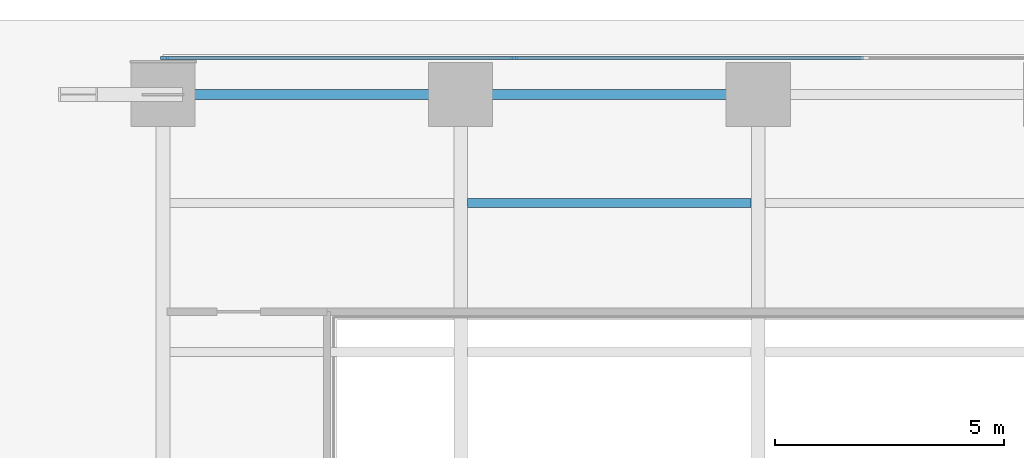
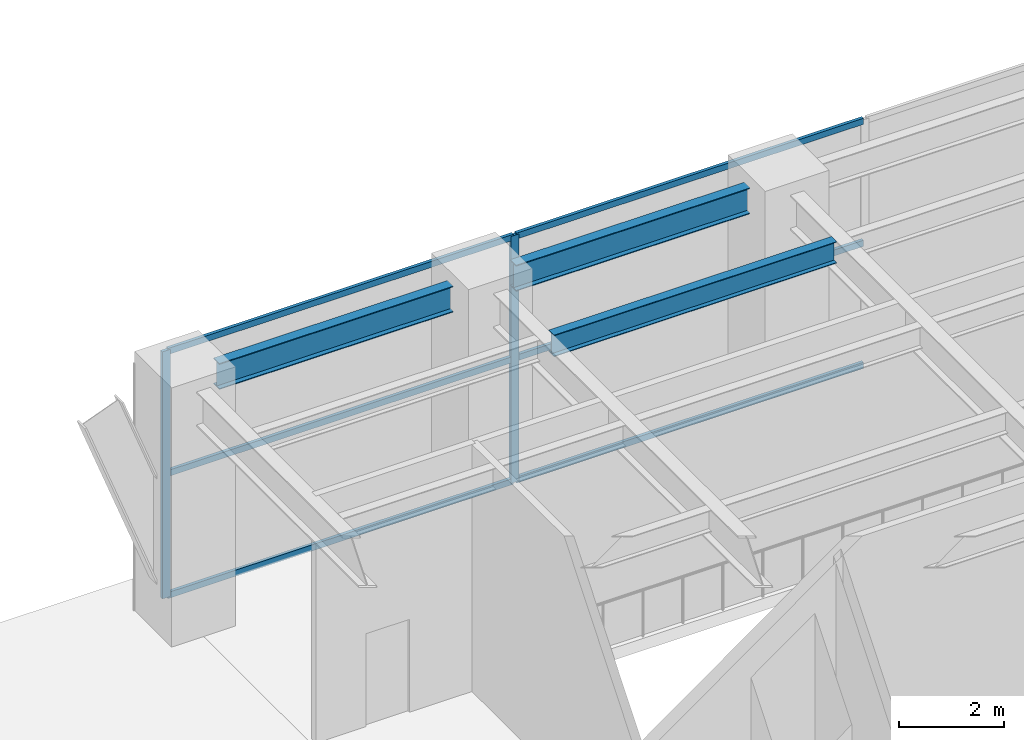
# One storey, part 6 of 20: 8 members, 3 beams, 1 element without a shape of its own.
"""IFC4 building model written with IfcOpenShell, lengths in metres."""

from ifc_helpers import new_model, si_unit, direction, frame, origin, origin_2d, place, context, subcontext, project, spatial, rectangle, i_section, extrude, material, layer, layer_set, material_profile, profile_set, type_object, element, aggregate, save


model = new_model("IFC4")

# Units and contexts
model_context = context("Model", 3, precision=1e-05, world=origin(), true_north=direction((0.0, 1.0)))
body_context = subcontext(model_context, "Body", "Model", "MODEL_VIEW")
ifc_project = project(units=[si_unit("LENGTHUNIT", "METRE"), si_unit("AREAUNIT", "SQUARE_METRE"), si_unit("VOLUMEUNIT", "CUBIC_METRE"), si_unit("PLANEANGLEUNIT", "RADIAN"), si_unit("MASSUNIT", "GRAM", prefix="KILO")], contexts=[model_context])

# Site, building, storey
site_placement = place(None, origin())
site = spatial("IfcSite", under=ifc_project, at=site_placement, CompositionType="ELEMENT")
building_placement = place(site_placement, origin())
building = spatial("IfcBuilding", under=site, at=building_placement, Name="Putna Gate Headquarters", CompositionType="ELEMENT")
storey_placement = place(building_placement, origin())
storey = spatial("IfcBuildingStorey", under=building, at=storey_placement, Name="L00", CompositionType="ELEMENT", Elevation=0.0)

# Beams
ifc_material_1 = material(Name="Steel S355J2", Category="steel")
ifc_material_profile_1 = material_profile(ifc_material_1, i_section(OverallWidth=0.199951171875, OverallDepth=0.5, WebThickness=0.01025390625, FlangeThickness=0.01611328125, at=origin_2d()), Name="Steel S355J2")
ifc_profile_set_1 = profile_set([ifc_material_profile_1], Name="Steel S355J2")
beam_type_1 = type_object("IfcBeamType", Name="BM-SEC-P-IPE500", PredefinedType="BEAM", material=ifc_profile_set_1)
beam_placement = place(storey_placement, frame((58.654052734375, 48.75, 5.469970703125), z_axis=(1.0, 0.0, 0.0), x_axis=(0.0, 1.0, 0.0)))
element("IfcBeam", 1, at=beam_placement, inside=storey, type_object=beam_type_1, Name="L00 North Secondary Beam 6", PredefinedType="BEAM", context=body_context, shape_type="SweptSolid", body=[
    extrude(i_section(OverallWidth=0.199951171875, OverallDepth=0.5, WebThickness=0.01025390625, FlangeThickness=0.01611328125, at=origin_2d()), origin(), (0.0, 0.0, 1.0), 6.19189453125),
])
ifc_material_profile_2 = material_profile(ifc_material_1, i_section(OverallWidth=0.219970703125, OverallDepth=0.60009765625, WebThickness=0.011962890625, FlangeThickness=0.01904296875, at=origin_2d()), Name="Steel S355J2")
ifc_profile_set_2 = profile_set([ifc_material_profile_2], Name="Steel S355J2")
beam_type_2 = type_object("IfcBeamType", Name="BM-SPAN-P-IPE600", PredefinedType="SPANDREL", material=ifc_profile_set_2)
for number, where, z_axis, x_axis, name in (
    (2, (52.68798828125, 51.1201171875, 5.419921875), (1.0, 0.0, 0.0), (0.0, 1.0, 0.0), "L00 N Perimeter Spandrel 5"),
    (3, (59.18798828125, 51.1201171875, 5.419921875), (1.0, 0.0, 0.0), (0.0, 1.0, 0.0), "L00 N Perimeter Spandrel 6"),
):
    element("IfcBeam", number, at=place(storey_placement, frame(where, z_axis=z_axis, x_axis=x_axis)), inside=storey, type_object=beam_type_2, Name=name, PredefinedType="SPANDREL", context=body_context, shape_type="SweptSolid", body=[
        extrude(i_section(OverallWidth=0.219970703125, OverallDepth=0.60009765625, WebThickness=0.011962890625, FlangeThickness=0.01904296875, at=origin_2d()), origin(), (0.0, 0.0, 1.0), 5.1240234375),
    ])

# Curtain wall, members
ifc_material_2 = material(Name="Anodised bronze aluminium curtain wall", Category="aluminium")
ifc_layer = layer(ifc_material_2, 0.179931640625)
ifc_layer_set = layer_set([ifc_layer], Name="Anodised bronze aluminium curtain wall")
curtain_wall_type = type_object("IfcCurtainWallType", Name="CW-SYS-POD", PredefinedType="USERDEFINED", material=ifc_layer_set)
curtain_wall_placement = place(storey_placement, origin())
curtain_wall = element("IfcCurtainWall", 4, at=curtain_wall_placement, inside=storey, type_object=curtain_wall_type, Name="L00 North East Curtain Wall", ObjectType="STICK CURTAIN WALL", PredefinedType="USERDEFINED")
ifc_material_3 = material(Name="Anodised bronze aluminium EN AW-6060", Category="aluminium")
ifc_material_profile_3 = material_profile(ifc_material_3, rectangle(XDim=0.070068359375, YDim=0.179931640625, at=origin_2d()), Name="Anodised bronze aluminium EN AW-6060")
ifc_profile_set_3 = profile_set([ifc_material_profile_3], Name="Anodised bronze aluminium EN AW-6060")
member_type_1 = type_object("IfcMemberType", Name="MULL-CWM-P", PredefinedType="MULLION", material=ifc_profile_set_3)
member_1_placement = place(storey_placement, frame((52.034912109375, 51.919921875, 0.0), z_axis=(0.0, 0.0, 1.0), x_axis=(0.0, 1.0, 0.0)))
member_1 = element("IfcMember", 5, at=member_1_placement, type_object=member_type_1, Name="CWS-P mullion 1", PredefinedType="MULLION", context=body_context, shape_type="SweptSolid", body=[
    extrude(rectangle(XDim=0.070068359375, YDim=0.179931640625, at=origin_2d()), origin(), (0.0, 0.0, 1.0), 5.719970703125),
])
member_2_placement = place(storey_placement, frame((59.666748046875, 51.919921875, 0.0), z_axis=(0.0, 0.0, 1.0), x_axis=(0.0, 1.0, 0.0)))
member_2 = element("IfcMember", 6, at=member_2_placement, type_object=member_type_1, Name="CWS-P mullion 2", PredefinedType="MULLION", context=body_context, shape_type="SweptSolid", body=[
    extrude(rectangle(XDim=0.070068359375, YDim=0.179931640625, at=origin_2d()), origin(), (0.0, 0.0, 1.0), 5.719970703125),
])
ifc_material_profile_4 = material_profile(ifc_material_3, rectangle(XDim=0.070068359375, YDim=0.139892578125, at=origin_2d()), Name="Anodised bronze aluminium EN AW-6060")
ifc_profile_set_4 = profile_set([ifc_material_profile_4], Name="Anodised bronze aluminium EN AW-6060")
member_type_2 = type_object("IfcMemberType", Name="TRAN-CWT-P", PredefinedType="USERDEFINED", material=ifc_profile_set_4)
member_3_placement = place(storey_placement, frame((52.070068359375, 51.919921875, 0.034912109375), z_axis=(1.0, 0.0, 0.0), x_axis=(0.0, 1.0, 0.0)))
member_3 = element("IfcMember", 7, at=member_3_placement, type_object=member_type_2, Name="CWS-P transom 1.1", ObjectType="TRANSOM", PredefinedType="USERDEFINED", context=body_context, shape_type="SweptSolid", body=[
    extrude(rectangle(XDim=0.070068359375, YDim=0.139892578125, at=origin_2d()), origin(), (0.0, 0.0, 1.0), 7.5615234375),
])
member_4_placement = place(storey_placement, frame((52.070068359375, 51.919921875, 2.860107421875), z_axis=(1.0, 0.0, 0.0), x_axis=(0.0, 1.0, 0.0)))
member_4 = element("IfcMember", 8, at=member_4_placement, type_object=member_type_2, Name="CWS-P transom 1.2", ObjectType="TRANSOM", PredefinedType="USERDEFINED", context=body_context, shape_type="SweptSolid", body=[
    extrude(rectangle(XDim=0.070068359375, YDim=0.139892578125, at=origin_2d()), origin(), (0.0, 0.0, 1.0), 7.5615234375),
])
member_5_placement = place(storey_placement, frame((52.070068359375, 51.919921875, 5.68505859375), z_axis=(1.0, 0.0, 0.0), x_axis=(0.0, 1.0, 0.0)))
member_5 = element("IfcMember", 9, at=member_5_placement, type_object=member_type_2, Name="CWS-P transom 1.3", ObjectType="TRANSOM", PredefinedType="USERDEFINED", context=body_context, shape_type="SweptSolid", body=[
    extrude(rectangle(XDim=0.070068359375, YDim=0.139892578125, at=origin_2d()), origin(), (0.0, 0.0, 1.0), 7.5615234375),
])
member_6_placement = place(storey_placement, frame((59.70166015625, 51.919921875, 0.034912109375), z_axis=(1.0, 0.0, 0.0), x_axis=(0.0, 1.0, 0.0)))
member_6 = element("IfcMember", 10, at=member_6_placement, type_object=member_type_2, Name="CWS-P transom 2.1", ObjectType="TRANSOM", PredefinedType="USERDEFINED", context=body_context, shape_type="SweptSolid", body=[
    extrude(rectangle(XDim=0.070068359375, YDim=0.139892578125, at=origin_2d()), origin(), (0.0, 0.0, 1.0), 7.5966796875),
])
member_7_placement = place(storey_placement, frame((59.70166015625, 51.919921875, 2.860107421875), z_axis=(1.0, 0.0, 0.0), x_axis=(0.0, 1.0, 0.0)))
member_7 = element("IfcMember", 11, at=member_7_placement, type_object=member_type_2, Name="CWS-P transom 2.2", ObjectType="TRANSOM", PredefinedType="USERDEFINED", context=body_context, shape_type="SweptSolid", body=[
    extrude(rectangle(XDim=0.070068359375, YDim=0.139892578125, at=origin_2d()), origin(), (0.0, 0.0, 1.0), 7.5966796875),
])
member_8_placement = place(storey_placement, frame((59.70166015625, 51.919921875, 5.68505859375), z_axis=(1.0, 0.0, 0.0), x_axis=(0.0, 1.0, 0.0)))
member_8 = element("IfcMember", 12, at=member_8_placement, type_object=member_type_2, Name="CWS-P transom 2.3", ObjectType="TRANSOM", PredefinedType="USERDEFINED", context=body_context, shape_type="SweptSolid", body=[
    extrude(rectangle(XDim=0.070068359375, YDim=0.139892578125, at=origin_2d()), origin(), (0.0, 0.0, 1.0), 7.5966796875),
])
aggregate(curtain_wall, [member_1, member_2, member_3, member_4, member_5, member_6, member_7, member_8])

save(model, "model.ifc")
